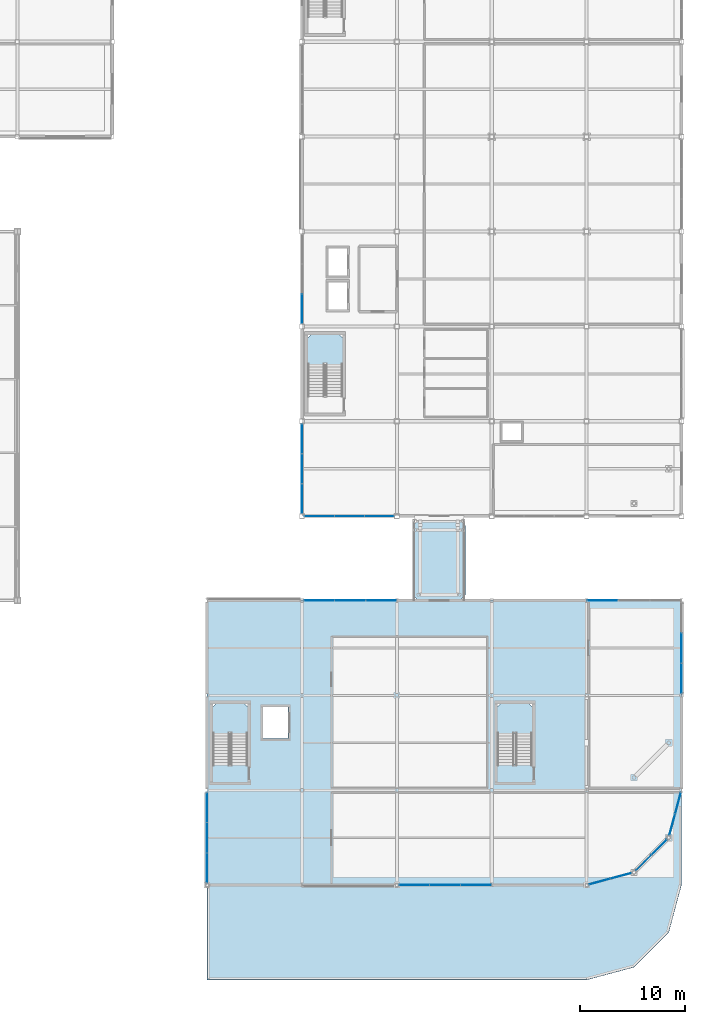
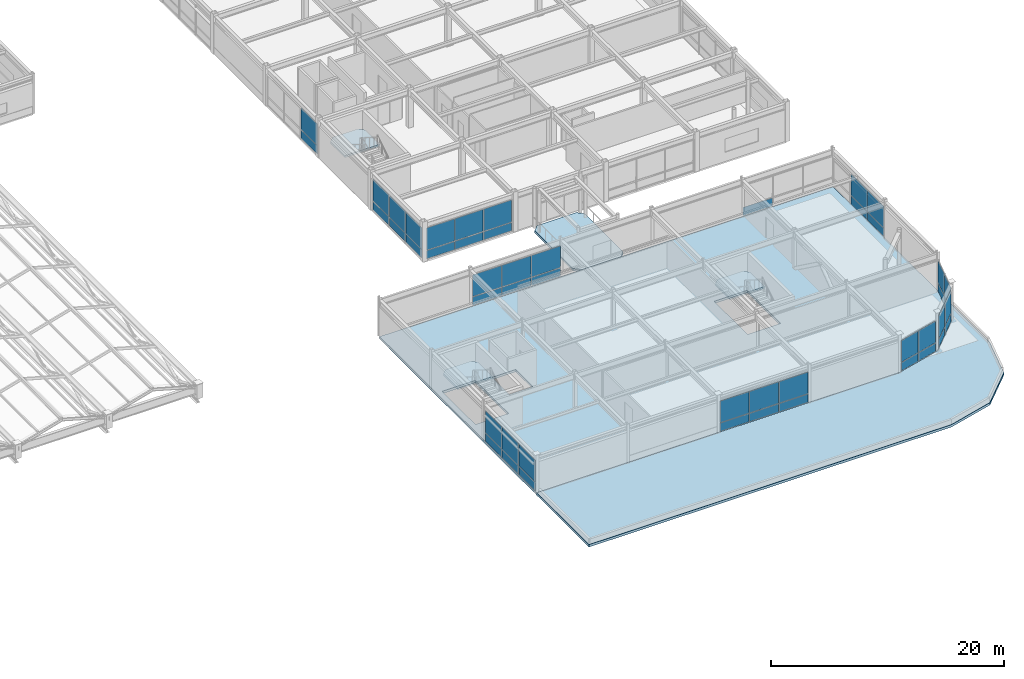
# One storey, part 67 of 108: 49 plates, 6 slabs, 14 elements without a shape of their own.
"""IFC4 building model written with IfcOpenShell, lengths in metres."""

from ifc_helpers import new_model, si_unit, direction, frame, origin, origin_2d, place, context, subcontext, project, spatial, polyline, rectangle, outline, extrude, material, layer, layer_set, type_object, element, aggregate, save


model = new_model("IFC4")

# Units and contexts
model_context = context("Model", 3, precision=1e-05, world=origin(), true_north=direction((0.0, 1.0)))
body_context = subcontext(model_context, "Body", "Model", "MODEL_VIEW")
ifc_project = project(units=[si_unit("LENGTHUNIT", "METRE"), si_unit("AREAUNIT", "SQUARE_METRE"), si_unit("VOLUMEUNIT", "CUBIC_METRE"), si_unit("PLANEANGLEUNIT", "RADIAN"), si_unit("MASSUNIT", "GRAM", prefix="KILO")], contexts=[model_context])

# Site, building, storey
site_placement = place(None, origin())
site = spatial("IfcSite", under=ifc_project, at=site_placement, CompositionType="ELEMENT")
building_placement = place(site_placement, origin())
building = spatial("IfcBuilding", under=site, at=building_placement, Name="Suzunagisa Mobility Hub", CompositionType="ELEMENT")
storey_placement = place(building_placement, frame((0.0, 0.0, 9.300048828125)))
storey = spatial("IfcBuildingStorey", under=building, at=storey_placement, Name="L02", CompositionType="ELEMENT", Elevation=9.300048828125)

# Slabs
ifc_material_1 = material(Name="Concrete C35/45", Category="concrete")
ifc_layer_1 = layer(ifc_material_1, 0.25)
ifc_layer_set_1 = layer_set([ifc_layer_1], Name="Concrete C35/45")
slab_type_1 = type_object("IfcSlabType", Name="Composite Slab SL-13 250mm", PredefinedType="FLOOR", material=ifc_layer_set_1)
slab_1_placement = place(storey_placement, frame((0.0, 0.0, -0.25)))
element("IfcSlab", 1, at=slab_1_placement, inside=storey, type_object=slab_type_1, Name="L02 V6S Floor Slab", PredefinedType="FLOOR", context=body_context, shape_type="SweptSolid", body=[
    extrude(outline(polyline([(135.0, 9.0), (171.0, 9.0), (175.5, 10.205810546875), (178.794189453125, 13.5), (180.0, 18.0), (180.0, 36.0), (135.0, 36.0), (135.0, 9.0)]), holes=[polyline([(135.56005859375, 20.47998046875), (138.840087890625, 20.47998046875), (138.840087890625, 26.199951171875), (135.56005859375, 26.199951171875), (135.56005859375, 20.47998046875)]), polyline([(140.320068359375, 22.919921875), (142.679931640625, 22.919921875), (142.679931640625, 25.8798828125), (140.320068359375, 25.8798828125), (140.320068359375, 22.919921875)]), polyline([(162.56005859375, 20.47998046875), (165.840087890625, 20.47998046875), (165.840087890625, 26.199951171875), (162.56005859375, 26.199951171875), (162.56005859375, 20.47998046875)])]), origin(), (0.0, 0.0, 1.0), 0.25),
])
ifc_material_2 = material(Name="Concrete C30/37", Category="concrete")
ifc_layer_2 = layer(ifc_material_2, 0.239990234375)
ifc_layer_set_2 = layer_set([ifc_layer_2], Name="Concrete C30/37")
slab_type_2 = type_object("IfcSlabType", Name="Composite Slab SL-14 240mm", PredefinedType="FLOOR", material=ifc_layer_set_2)
slab_2_placement = place(storey_placement, frame((0.0, 0.0, -0.239990234375)))
element("IfcSlab", 2, at=slab_2_placement, inside=storey, type_object=slab_type_2, Name="L02 Bridge Deck SB-04", PredefinedType="FLOOR", context=body_context, shape_type="SweptSolid", body=[
    extrude(outline(polyline([(155.050048828125, 36.0), (158.949951171875, 36.0), (159.5, 36.550048828125), (159.5, 43.10009765625), (158.949951171875, 43.64990234375), (155.050048828125, 43.64990234375), (154.5, 43.10009765625), (154.5, 36.550048828125), (155.050048828125, 36.0)])), origin(), (0.0, 0.0, 1.0), 0.239990234375),
])
ifc_layer_3 = layer(ifc_material_2, 0.260009765625)
ifc_layer_set_3 = layer_set([ifc_layer_3], Name="Concrete C30/37")
slab_type_3 = type_object("IfcSlabType", Name="Composite Slab SL-17 260mm", PredefinedType="ROOF", material=ifc_layer_set_3)
slab_3_placement = place(storey_placement, frame((0.0, 0.0, -0.260009765625)))
element("IfcSlab", 3, at=slab_3_placement, inside=storey, type_object=slab_type_3, Name="L02 V6S Roof Slab", PredefinedType="ROOF", context=body_context, shape_type="SweptSolid", body=[
    extrude(outline(polyline([(135.0, 0.0), (171.0, 0.0), (175.5, 1.205810546875), (178.794189453125, 4.5), (180.0, 9.0), (180.0, 17.980712890625), (178.79833984375, 13.497314453125), (175.50341796875, 10.202392578125), (171.0009765625, 8.9951171875), (135.0, 8.9951171875), (135.0, 0.0)])), origin(), (0.0, 0.0, 1.0), 0.260009765625),
])

# Stair, slab
stair_type_1 = type_object("IfcStairType", Name="Dog-Leg Core Escape Stair ST-09 W1560", PredefinedType="HALF_TURN_STAIR", material=ifc_material_1)
stair_1_placement = place(storey_placement, origin())
stair_1 = element("IfcStair", 4, at=stair_1_placement, inside=storey, type_object=stair_type_1, Name="L02 Core C7 Escape Stair ST-09", PredefinedType="HALF_TURN_STAIR")
ifc_layer_4 = layer(ifc_material_1, 0.199951171875)
ifc_layer_set_4 = layer_set([ifc_layer_4], Name="Concrete C35/45")
slab_type_4 = type_object("IfcSlabType", Name="Core Stair Half-Landing Slab SL-SLND", PredefinedType="LANDING", material=ifc_layer_set_4)
slab_4_placement = place(storey_placement, frame((0.0, 0.0, 1.89990234375)))
slab_4 = element("IfcSlab", 5, at=slab_4_placement, type_object=slab_type_4, Name="ST-09 landing 1", PredefinedType="LANDING", context=body_context, shape_type="SweptSolid", body=[
    extrude(outline(polyline([(135.4599609375, 23.360107421875), (138.93994140625, 23.360107421875), (138.93994140625, 25.820068359375), (138.4599609375, 26.300048828125), (135.93994140625, 26.300048828125), (135.4599609375, 25.820068359375), (135.4599609375, 23.360107421875)])), origin(), (0.0, 0.0, 1.0), 0.199951171875),
])
aggregate(stair_1, [slab_4])

stair_type_2 = type_object("IfcStairType", Name="Dog-Leg Core Escape Stair ST-10 W1560", PredefinedType="HALF_TURN_STAIR", material=ifc_material_1)
stair_2_placement = place(storey_placement, origin())
stair_2 = element("IfcStair", 6, at=stair_2_placement, inside=storey, type_object=stair_type_2, Name="L02 Core C7B Escape Stair ST-10", PredefinedType="HALF_TURN_STAIR")
slab_5_placement = place(storey_placement, frame((0.0, 0.0, 1.89990234375)))
slab_5 = element("IfcSlab", 7, at=slab_5_placement, type_object=slab_type_4, Name="ST-10 landing 1", PredefinedType="LANDING", context=body_context, shape_type="SweptSolid", body=[
    extrude(outline(polyline([(162.4599609375, 23.360107421875), (165.93994140625, 23.360107421875), (165.93994140625, 25.820068359375), (165.4599609375, 26.300048828125), (162.93994140625, 26.300048828125), (162.4599609375, 25.820068359375), (162.4599609375, 23.360107421875)])), origin(), (0.0, 0.0, 1.0), 0.199951171875),
])
aggregate(stair_2, [slab_5])

stair_type_3 = type_object("IfcStairType", Name="Dog-Leg Core Escape Stair ST-11 W1560", PredefinedType="HALF_TURN_STAIR", material=ifc_material_1)
stair_3_placement = place(storey_placement, origin())
stair_3 = element("IfcStair", 8, at=stair_3_placement, inside=storey, type_object=stair_type_3, Name="L02 Core C5 Escape Stair ST-11", PredefinedType="HALF_TURN_STAIR")
slab_6_placement = place(storey_placement, frame((0.0, 0.0, 1.89990234375)))
slab_6 = element("IfcSlab", 9, at=slab_6_placement, type_object=slab_type_4, Name="ST-11 landing 1", PredefinedType="LANDING", context=body_context, shape_type="SweptSolid", body=[
    extrude(outline(polyline([(144.4599609375, 58.360107421875), (147.93994140625, 58.360107421875), (147.93994140625, 60.820068359375), (147.4599609375, 61.300048828125), (144.93994140625, 61.300048828125), (144.4599609375, 60.820068359375), (144.4599609375, 58.360107421875)])), origin(), (0.0, 0.0, 1.0), 0.199951171875),
])
aggregate(stair_3, [slab_6])

# Curtain wall, plates
ifc_material_3 = material(Name="Thermally Broken Anodized Aluminum and Low-E Glazing", Category="aluminium")
curtain_wall_type_1 = type_object("IfcCurtainWallType", Name="Unitised Curtain Wall CW-12 8750x3300", PredefinedType="USERDEFINED", material=ifc_material_3)
curtain_wall_1_placement = place(storey_placement, origin())
curtain_wall_1 = element("IfcCurtainWall", 10, at=curtain_wall_1_placement, inside=storey, type_object=curtain_wall_type_1, Name="L02 Unitised Curtain Wall CW-155", ObjectType="UNITISED CURTAIN WALL", PredefinedType="USERDEFINED")
ifc_material_4 = material(Name="Low-E Solar-Control Double Glazing", Category="glass")
ifc_layer_5 = layer(ifc_material_4, 0.028076171875)
ifc_layer_set_5 = layer_set([ifc_layer_5], Name="Low-E Solar-Control Double Glazing")
plate_type = type_object("IfcPlateType", Name="Low-E Double Glazed Curtain Panel GP-01 28mm", PredefinedType="CURTAIN_PANEL", material=ifc_layer_set_5)
plate_1_placement = place(storey_placement, frame((154.639404296875, 9.0, 0.06298828125), z_axis=(0.0, 0.0, 1.0), x_axis=(1.0, 0.0, 0.0)))
plate_1 = element("IfcPlate", 11, at=plate_1_placement, type_object=plate_type, Name="Curtain Wall Glazing Panel 155-P1.1", PredefinedType="CURTAIN_PANEL", context=body_context, shape_type="SweptSolid", body=[
    extrude(rectangle(XDim=2.862548828125, YDim=0.028076171875, at=origin_2d()), origin(), (0.0, 0.0, 1.0), 0.8564453125),
])
plate_2_placement = place(storey_placement, frame((154.639404296875, 9.0, 0.98046875), z_axis=(0.0, 0.0, 1.0), x_axis=(1.0, 0.0, 0.0)))
plate_2 = element("IfcPlate", 12, at=plate_2_placement, type_object=plate_type, Name="Curtain Wall Glazing Panel 155-P1.2", PredefinedType="CURTAIN_PANEL", context=body_context, shape_type="SweptSolid", body=[
    extrude(rectangle(XDim=2.862548828125, YDim=0.028076171875, at=origin_2d()), origin(), (0.0, 0.0, 1.0), 2.24658203125),
])
plate_3_placement = place(storey_placement, frame((157.57275390625, 9.0, 0.06298828125), z_axis=(0.0, 0.0, 1.0), x_axis=(1.0, 0.0, 0.0)))
plate_3 = element("IfcPlate", 13, at=plate_3_placement, type_object=plate_type, Name="Curtain Wall Glazing Panel 155-P2.1", PredefinedType="CURTAIN_PANEL", context=body_context, shape_type="SweptSolid", body=[
    extrude(rectangle(XDim=2.892578125, YDim=0.028076171875, at=origin_2d()), origin(), (0.0, 0.0, 1.0), 0.8564453125),
])
plate_4_placement = place(storey_placement, frame((157.57275390625, 9.0, 0.98046875), z_axis=(0.0, 0.0, 1.0), x_axis=(1.0, 0.0, 0.0)))
plate_4 = element("IfcPlate", 14, at=plate_4_placement, type_object=plate_type, Name="Curtain Wall Glazing Panel 155-P2.2", PredefinedType="CURTAIN_PANEL", context=body_context, shape_type="SweptSolid", body=[
    extrude(rectangle(XDim=2.892578125, YDim=0.028076171875, at=origin_2d()), origin(), (0.0, 0.0, 1.0), 2.24658203125),
])
plate_5_placement = place(storey_placement, frame((160.506103515625, 9.0, 0.06298828125), z_axis=(0.0, 0.0, 1.0), x_axis=(1.0, 0.0, 0.0)))
plate_5 = element("IfcPlate", 15, at=plate_5_placement, type_object=plate_type, Name="Curtain Wall Glazing Panel 155-P3.1", PredefinedType="CURTAIN_PANEL", context=body_context, shape_type="SweptSolid", body=[
    extrude(rectangle(XDim=2.862548828125, YDim=0.028076171875, at=origin_2d()), origin(), (0.0, 0.0, 1.0), 0.8564453125),
])
plate_6_placement = place(storey_placement, frame((160.506103515625, 9.0, 0.98046875), z_axis=(0.0, 0.0, 1.0), x_axis=(1.0, 0.0, 0.0)))
plate_6 = element("IfcPlate", 16, at=plate_6_placement, type_object=plate_type, Name="Curtain Wall Glazing Panel 155-P3.2", PredefinedType="CURTAIN_PANEL", context=body_context, shape_type="SweptSolid", body=[
    extrude(rectangle(XDim=2.862548828125, YDim=0.028076171875, at=origin_2d()), origin(), (0.0, 0.0, 1.0), 2.24658203125),
])
aggregate(curtain_wall_1, [plate_1, plate_2, plate_3, plate_4, plate_5, plate_6])

curtain_wall_type_2 = type_object("IfcCurtainWallType", Name="Unitised Curtain Wall CW-06 4250x3300", PredefinedType="USERDEFINED", material=ifc_material_3)
curtain_wall_2_placement = place(storey_placement, origin())
curtain_wall_2 = element("IfcCurtainWall", 17, at=curtain_wall_2_placement, inside=storey, type_object=curtain_wall_type_2, Name="L02 Unitised Curtain Wall CW-156", ObjectType="UNITISED CURTAIN WALL", PredefinedType="USERDEFINED")
plate_7_placement = place(storey_placement, frame((172.219970703125, 9.326904296875, 0.05810546875), z_axis=(0.0, 0.0, 1.0), x_axis=(0.96592351662, 0.258827664752, 0.0)))
plate_7 = element("IfcPlate", 18, at=plate_7_placement, type_object=plate_type, Name="Curtain Wall Glazing Panel 156-P1.1", PredefinedType="CURTAIN_PANEL", context=body_context, shape_type="SweptSolid", body=[
    extrude(rectangle(XDim=2.04248046875, YDim=0.028076171875, at=origin_2d()), origin(), (0.0, 0.0, 1.0), 0.864013671875),
])
plate_8_placement = place(storey_placement, frame((172.219970703125, 9.326904296875, 0.97802734375), z_axis=(0.0, 0.0, 1.0), x_axis=(0.96592351662, 0.258827664752, 0.0)))
plate_8 = element("IfcPlate", 19, at=plate_8_placement, type_object=plate_type, Name="Curtain Wall Glazing Panel 156-P1.2", PredefinedType="CURTAIN_PANEL", context=body_context, shape_type="SweptSolid", body=[
    extrude(rectangle(XDim=2.04248046875, YDim=0.028076171875, at=origin_2d()), origin(), (0.0, 0.0, 1.0), 2.25390625),
])
plate_9_placement = place(storey_placement, frame((174.247314453125, 9.8701171875, 0.05810546875), z_axis=(0.0, 0.0, 1.0), x_axis=(0.96592351662, 0.258827664752, 0.0)))
plate_9 = element("IfcPlate", 20, at=plate_9_placement, type_object=plate_type, Name="Curtain Wall Glazing Panel 156-P2.1", PredefinedType="CURTAIN_PANEL", context=body_context, shape_type="SweptSolid", body=[
    extrude(rectangle(XDim=2.042724609375, YDim=0.028076171875, at=origin_2d()), origin(), (0.0, 0.0, 1.0), 0.864013671875),
])
plate_10_placement = place(storey_placement, frame((174.247314453125, 9.8701171875, 0.97802734375), z_axis=(0.0, 0.0, 1.0), x_axis=(0.96592351662, 0.258827664752, 0.0)))
plate_10 = element("IfcPlate", 21, at=plate_10_placement, type_object=plate_type, Name="Curtain Wall Glazing Panel 156-P2.2", PredefinedType="CURTAIN_PANEL", context=body_context, shape_type="SweptSolid", body=[
    extrude(rectangle(XDim=2.042724609375, YDim=0.028076171875, at=origin_2d()), origin(), (0.0, 0.0, 1.0), 2.25390625),
])
aggregate(curtain_wall_2, [plate_7, plate_8, plate_9, plate_10])

curtain_wall_type_3 = type_object("IfcCurtainWallType", Name="Unitised Curtain Wall CW-24 4250x3500", PredefinedType="USERDEFINED", material=ifc_material_3)
curtain_wall_3_placement = place(storey_placement, origin())
curtain_wall_3 = element("IfcCurtainWall", 22, at=curtain_wall_3_placement, inside=storey, type_object=curtain_wall_type_3, Name="L02 Unitised Curtain Wall CW-157", ObjectType="UNITISED CURTAIN WALL", PredefinedType="USERDEFINED")
plate_11_placement = place(storey_placement, frame((176.423095703125, 11.12890625, 0.05810546875), z_axis=(0.0, 0.0, 1.0), x_axis=(0.707106781187, 0.707106781187, 0.0)))
plate_11 = element("IfcPlate", 23, at=plate_11_placement, type_object=plate_type, Name="Curtain Wall Glazing Panel 157-P1.1", PredefinedType="CURTAIN_PANEL", context=body_context, shape_type="SweptSolid", body=[
    extrude(rectangle(XDim=1.991943359375, YDim=0.028076171875, at=origin_2d()), origin(), (0.0, 0.0, 1.0), 0.864013671875),
])
plate_12_placement = place(storey_placement, frame((176.423095703125, 11.12890625, 0.97802734375), z_axis=(0.0, 0.0, 1.0), x_axis=(0.707106781187, 0.707106781187, 0.0)))
plate_12 = element("IfcPlate", 24, at=plate_12_placement, type_object=plate_type, Name="Curtain Wall Glazing Panel 157-P1.2", PredefinedType="CURTAIN_PANEL", context=body_context, shape_type="SweptSolid", body=[
    extrude(rectangle(XDim=1.991943359375, YDim=0.028076171875, at=origin_2d()), origin(), (0.0, 0.0, 1.0), 2.50390625),
])
plate_13_placement = place(storey_placement, frame((177.87109375, 12.576904296875, 0.05810546875), z_axis=(0.0, 0.0, 1.0), x_axis=(0.707106781187, 0.707106781187, 0.0)))
plate_13 = element("IfcPlate", 25, at=plate_13_placement, type_object=plate_type, Name="Curtain Wall Glazing Panel 157-P2.1", PredefinedType="CURTAIN_PANEL", context=body_context, shape_type="SweptSolid", body=[
    extrude(rectangle(XDim=1.991943359375, YDim=0.028076171875, at=origin_2d()), origin(), (0.0, 0.0, 1.0), 0.864013671875),
])
plate_14_placement = place(storey_placement, frame((177.87109375, 12.576904296875, 0.97802734375), z_axis=(0.0, 0.0, 1.0), x_axis=(0.707106781187, 0.707106781187, 0.0)))
plate_14 = element("IfcPlate", 26, at=plate_14_placement, type_object=plate_type, Name="Curtain Wall Glazing Panel 157-P2.2", PredefinedType="CURTAIN_PANEL", context=body_context, shape_type="SweptSolid", body=[
    extrude(rectangle(XDim=1.991943359375, YDim=0.028076171875, at=origin_2d()), origin(), (0.0, 0.0, 1.0), 2.50390625),
])
aggregate(curtain_wall_3, [plate_11, plate_12, plate_13, plate_14])

curtain_wall_4_placement = place(storey_placement, origin())
curtain_wall_4 = element("IfcCurtainWall", 27, at=curtain_wall_4_placement, inside=storey, type_object=curtain_wall_type_2, Name="L02 Unitised Curtain Wall CW-158", ObjectType="UNITISED CURTAIN WALL", PredefinedType="USERDEFINED")
plate_15_placement = place(storey_placement, frame((179.129150390625, 14.749755859375, 0.05810546875), z_axis=(0.0, 0.0, 1.0), x_axis=(0.258810670101, 0.965928070325, 0.0)))
plate_15 = element("IfcPlate", 28, at=plate_15_placement, type_object=plate_type, Name="Curtain Wall Glazing Panel 158-P1.1", PredefinedType="CURTAIN_PANEL", context=body_context, shape_type="SweptSolid", body=[
    extrude(rectangle(XDim=2.0361328125, YDim=0.028076171875, at=origin_2d()), origin(), (0.0, 0.0, 1.0), 0.864013671875),
])
plate_16_placement = place(storey_placement, frame((179.129150390625, 14.749755859375, 0.97802734375), z_axis=(0.0, 0.0, 1.0), x_axis=(0.258810670101, 0.965928070325, 0.0)))
plate_16 = element("IfcPlate", 29, at=plate_16_placement, type_object=plate_type, Name="Curtain Wall Glazing Panel 158-P1.2", PredefinedType="CURTAIN_PANEL", context=body_context, shape_type="SweptSolid", body=[
    extrude(rectangle(XDim=2.0361328125, YDim=0.028076171875, at=origin_2d()), origin(), (0.0, 0.0, 1.0), 2.303955078125),
])
plate_17_placement = place(storey_placement, frame((179.670654296875, 16.7705078125, 0.05810546875), z_axis=(0.0, 0.0, 1.0), x_axis=(0.258810670101, 0.965928070325, 0.0)))
plate_17 = element("IfcPlate", 30, at=plate_17_placement, type_object=plate_type, Name="Curtain Wall Glazing Panel 158-P2.1", PredefinedType="CURTAIN_PANEL", context=body_context, shape_type="SweptSolid", body=[
    extrude(rectangle(XDim=2.0361328125, YDim=0.028076171875, at=origin_2d()), origin(), (0.0, 0.0, 1.0), 0.864013671875),
])
plate_18_placement = place(storey_placement, frame((179.670654296875, 16.7705078125, 0.97802734375), z_axis=(0.0, 0.0, 1.0), x_axis=(0.258810670101, 0.965928070325, 0.0)))
plate_18 = element("IfcPlate", 31, at=plate_18_placement, type_object=plate_type, Name="Curtain Wall Glazing Panel 158-P2.2", PredefinedType="CURTAIN_PANEL", context=body_context, shape_type="SweptSolid", body=[
    extrude(rectangle(XDim=2.0361328125, YDim=0.028076171875, at=origin_2d()), origin(), (0.0, 0.0, 1.0), 2.303955078125),
])
aggregate(curtain_wall_4, [plate_15, plate_16, plate_17, plate_18])

curtain_wall_5_placement = place(storey_placement, origin())
curtain_wall_5 = element("IfcCurtainWall", 32, at=curtain_wall_5_placement, inside=storey, type_object=curtain_wall_type_1, Name="L02 Unitised Curtain Wall CW-159", ObjectType="UNITISED CURTAIN WALL", PredefinedType="USERDEFINED")
plate_19_placement = place(storey_placement, frame((180.0, 28.611572265625, 0.06298828125), z_axis=(0.0, 0.0, 1.0), x_axis=(0.0, 1.0, 0.0)))
plate_19 = element("IfcPlate", 33, at=plate_19_placement, type_object=plate_type, Name="Curtain Wall Glazing Panel 159-P1.1", PredefinedType="CURTAIN_PANEL", context=body_context, shape_type="SweptSolid", body=[
    extrude(rectangle(XDim=2.807373046875, YDim=0.028076171875, at=origin_2d()), origin(), (0.0, 0.0, 1.0), 0.8564453125),
])
plate_20_placement = place(storey_placement, frame((180.0, 28.611572265625, 0.98046875), z_axis=(0.0, 0.0, 1.0), x_axis=(0.0, 1.0, 0.0)))
plate_20 = element("IfcPlate", 34, at=plate_20_placement, type_object=plate_type, Name="Curtain Wall Glazing Panel 159-P1.2", PredefinedType="CURTAIN_PANEL", context=body_context, shape_type="SweptSolid", body=[
    extrude(rectangle(XDim=2.807373046875, YDim=0.028076171875, at=origin_2d()), origin(), (0.0, 0.0, 1.0), 2.24658203125),
])
plate_21_placement = place(storey_placement, frame((180.0, 31.489990234375, 0.06298828125), z_axis=(0.0, 0.0, 1.0), x_axis=(0.0, 1.0, 0.0)))
plate_21 = element("IfcPlate", 35, at=plate_21_placement, type_object=plate_type, Name="Curtain Wall Glazing Panel 159-P2.1", PredefinedType="CURTAIN_PANEL", context=body_context, shape_type="SweptSolid", body=[
    extrude(rectangle(XDim=2.83740234375, YDim=0.028076171875, at=origin_2d()), origin(), (0.0, 0.0, 1.0), 0.8564453125),
])
plate_22_placement = place(storey_placement, frame((180.0, 31.489990234375, 0.98046875), z_axis=(0.0, 0.0, 1.0), x_axis=(0.0, 1.0, 0.0)))
plate_22 = element("IfcPlate", 36, at=plate_22_placement, type_object=plate_type, Name="Curtain Wall Glazing Panel 159-P2.2", PredefinedType="CURTAIN_PANEL", context=body_context, shape_type="SweptSolid", body=[
    extrude(rectangle(XDim=2.83740234375, YDim=0.028076171875, at=origin_2d()), origin(), (0.0, 0.0, 1.0), 2.24658203125),
])
aggregate(curtain_wall_5, [plate_19, plate_20, plate_21, plate_22])

# Curtain wall, plate
curtain_wall_type_4 = type_object("IfcCurtainWallType", Name="Unitised Curtain Wall CW-11 9000x3300", PredefinedType="USERDEFINED", material=ifc_material_3)
curtain_wall_6_placement = place(storey_placement, origin())
curtain_wall_6 = element("IfcCurtainWall", 37, at=curtain_wall_6_placement, inside=storey, type_object=curtain_wall_type_4, Name="L02 Unitised Curtain Wall CW-160", ObjectType="UNITISED CURTAIN WALL", PredefinedType="USERDEFINED")
plate_23_placement = place(storey_placement, frame((172.51806640625, 36.0, 0.06298828125), z_axis=(0.0, 0.0, 1.0), x_axis=(-1.0, 0.0, 0.0)))
plate_23 = element("IfcPlate", 38, at=plate_23_placement, type_object=plate_type, Name="Curtain Wall Glazing Panel 160-P3.1", PredefinedType="CURTAIN_PANEL", context=body_context, shape_type="SweptSolid", body=[
    extrude(rectangle(XDim=2.910888671875, YDim=0.028076171875, at=origin_2d()), origin(), (0.0, 0.0, 1.0), 0.8564453125),
])
aggregate(curtain_wall_6, [plate_23])

# Curtain wall, plates
curtain_wall_7_placement = place(storey_placement, origin())
curtain_wall_7 = element("IfcCurtainWall", 39, at=curtain_wall_7_placement, inside=storey, type_object=curtain_wall_type_1, Name="L02 Unitised Curtain Wall CW-161", ObjectType="UNITISED CURTAIN WALL", PredefinedType="USERDEFINED")
plate_24_placement = place(storey_placement, frame((151.506103515625, 36.0, 0.06298828125), z_axis=(0.0, 0.0, 1.0), x_axis=(-1.0, 0.0, 0.0)))
plate_24 = element("IfcPlate", 40, at=plate_24_placement, type_object=plate_type, Name="Curtain Wall Glazing Panel 161-P1.1", PredefinedType="CURTAIN_PANEL", context=body_context, shape_type="SweptSolid", body=[
    extrude(rectangle(XDim=2.862548828125, YDim=0.028076171875, at=origin_2d()), origin(), (0.0, 0.0, 1.0), 0.8564453125),
])
plate_25_placement = place(storey_placement, frame((151.506103515625, 36.0, 0.98046875), z_axis=(0.0, 0.0, 1.0), x_axis=(-1.0, 0.0, 0.0)))
plate_25 = element("IfcPlate", 41, at=plate_25_placement, type_object=plate_type, Name="Curtain Wall Glazing Panel 161-P1.2", PredefinedType="CURTAIN_PANEL", context=body_context, shape_type="SweptSolid", body=[
    extrude(rectangle(XDim=2.862548828125, YDim=0.028076171875, at=origin_2d()), origin(), (0.0, 0.0, 1.0), 2.256591796875),
])
plate_26_placement = place(storey_placement, frame((148.57275390625, 36.0, 0.06298828125), z_axis=(0.0, 0.0, 1.0), x_axis=(-1.0, 0.0, 0.0)))
plate_26 = element("IfcPlate", 42, at=plate_26_placement, type_object=plate_type, Name="Curtain Wall Glazing Panel 161-P2.1", PredefinedType="CURTAIN_PANEL", context=body_context, shape_type="SweptSolid", body=[
    extrude(rectangle(XDim=2.892578125, YDim=0.028076171875, at=origin_2d()), origin(), (0.0, 0.0, 1.0), 0.8564453125),
])
plate_27_placement = place(storey_placement, frame((148.57275390625, 36.0, 0.98046875), z_axis=(0.0, 0.0, 1.0), x_axis=(-1.0, 0.0, 0.0)))
plate_27 = element("IfcPlate", 43, at=plate_27_placement, type_object=plate_type, Name="Curtain Wall Glazing Panel 161-P2.2", PredefinedType="CURTAIN_PANEL", context=body_context, shape_type="SweptSolid", body=[
    extrude(rectangle(XDim=2.892578125, YDim=0.028076171875, at=origin_2d()), origin(), (0.0, 0.0, 1.0), 2.256591796875),
])
plate_28_placement = place(storey_placement, frame((145.639404296875, 36.0, 0.06298828125), z_axis=(0.0, 0.0, 1.0), x_axis=(-1.0, 0.0, 0.0)))
plate_28 = element("IfcPlate", 44, at=plate_28_placement, type_object=plate_type, Name="Curtain Wall Glazing Panel 161-P3.1", PredefinedType="CURTAIN_PANEL", context=body_context, shape_type="SweptSolid", body=[
    extrude(rectangle(XDim=2.862548828125, YDim=0.028076171875, at=origin_2d()), origin(), (0.0, 0.0, 1.0), 0.8564453125),
])
plate_29_placement = place(storey_placement, frame((145.639404296875, 36.0, 0.98046875), z_axis=(0.0, 0.0, 1.0), x_axis=(-1.0, 0.0, 0.0)))
plate_29 = element("IfcPlate", 45, at=plate_29_placement, type_object=plate_type, Name="Curtain Wall Glazing Panel 161-P3.2", PredefinedType="CURTAIN_PANEL", context=body_context, shape_type="SweptSolid", body=[
    extrude(rectangle(XDim=2.862548828125, YDim=0.028076171875, at=origin_2d()), origin(), (0.0, 0.0, 1.0), 2.256591796875),
])
aggregate(curtain_wall_7, [plate_24, plate_25, plate_26, plate_27, plate_28, plate_29])

curtain_wall_8_placement = place(storey_placement, origin())
curtain_wall_8 = element("IfcCurtainWall", 46, at=curtain_wall_8_placement, inside=storey, type_object=curtain_wall_type_1, Name="L02 Unitised Curtain Wall CW-162", ObjectType="UNITISED CURTAIN WALL", PredefinedType="USERDEFINED")
plate_30_placement = place(storey_placement, frame((135.0, 16.368408203125, 0.06298828125), z_axis=(0.0, 0.0, 1.0), x_axis=(0.0, -1.0, 0.0)))
plate_30 = element("IfcPlate", 47, at=plate_30_placement, type_object=plate_type, Name="Curtain Wall Glazing Panel 162-P1.1", PredefinedType="CURTAIN_PANEL", context=body_context, shape_type="SweptSolid", body=[
    extrude(rectangle(XDim=2.807373046875, YDim=0.028076171875, at=origin_2d()), origin(), (0.0, 0.0, 1.0), 0.8564453125),
])
plate_31_placement = place(storey_placement, frame((135.0, 16.368408203125, 0.98046875), z_axis=(0.0, 0.0, 1.0), x_axis=(0.0, -1.0, 0.0)))
plate_31 = element("IfcPlate", 48, at=plate_31_placement, type_object=plate_type, Name="Curtain Wall Glazing Panel 162-P1.2", PredefinedType="CURTAIN_PANEL", context=body_context, shape_type="SweptSolid", body=[
    extrude(rectangle(XDim=2.807373046875, YDim=0.028076171875, at=origin_2d()), origin(), (0.0, 0.0, 1.0), 2.29638671875),
])
plate_32_placement = place(storey_placement, frame((135.0, 13.489990234375, 0.06298828125), z_axis=(0.0, 0.0, 1.0), x_axis=(0.0, -1.0, 0.0)))
plate_32 = element("IfcPlate", 49, at=plate_32_placement, type_object=plate_type, Name="Curtain Wall Glazing Panel 162-P2.1", PredefinedType="CURTAIN_PANEL", context=body_context, shape_type="SweptSolid", body=[
    extrude(rectangle(XDim=2.83740234375, YDim=0.028076171875, at=origin_2d()), origin(), (0.0, 0.0, 1.0), 0.8564453125),
])
plate_33_placement = place(storey_placement, frame((135.0, 13.489990234375, 0.98046875), z_axis=(0.0, 0.0, 1.0), x_axis=(0.0, -1.0, 0.0)))
plate_33 = element("IfcPlate", 50, at=plate_33_placement, type_object=plate_type, Name="Curtain Wall Glazing Panel 162-P2.2", PredefinedType="CURTAIN_PANEL", context=body_context, shape_type="SweptSolid", body=[
    extrude(rectangle(XDim=2.83740234375, YDim=0.028076171875, at=origin_2d()), origin(), (0.0, 0.0, 1.0), 2.29638671875),
])
plate_34_placement = place(storey_placement, frame((135.0, 10.611572265625, 0.06298828125), z_axis=(0.0, 0.0, 1.0), x_axis=(0.0, -1.0, 0.0)))
plate_34 = element("IfcPlate", 51, at=plate_34_placement, type_object=plate_type, Name="Curtain Wall Glazing Panel 162-P3.1", PredefinedType="CURTAIN_PANEL", context=body_context, shape_type="SweptSolid", body=[
    extrude(rectangle(XDim=2.807373046875, YDim=0.028076171875, at=origin_2d()), origin(), (0.0, 0.0, 1.0), 0.8564453125),
])
plate_35_placement = place(storey_placement, frame((135.0, 10.611572265625, 0.98046875), z_axis=(0.0, 0.0, 1.0), x_axis=(0.0, -1.0, 0.0)))
plate_35 = element("IfcPlate", 52, at=plate_35_placement, type_object=plate_type, Name="Curtain Wall Glazing Panel 162-P3.2", PredefinedType="CURTAIN_PANEL", context=body_context, shape_type="SweptSolid", body=[
    extrude(rectangle(XDim=2.807373046875, YDim=0.028076171875, at=origin_2d()), origin(), (0.0, 0.0, 1.0), 2.29638671875),
])
aggregate(curtain_wall_8, [plate_30, plate_31, plate_32, plate_33, plate_34, plate_35])

curtain_wall_type_5 = type_object("IfcCurtainWallType", Name="Unitised Curtain Wall CW-29 8500x3400", PredefinedType="USERDEFINED", material=ifc_material_3)
curtain_wall_9_placement = place(storey_placement, origin())
curtain_wall_9 = element("IfcCurtainWall", 53, at=curtain_wall_9_placement, inside=storey, type_object=curtain_wall_type_5, Name="L02 Unitised Curtain Wall CW-196", ObjectType="UNITISED CURTAIN WALL", PredefinedType="USERDEFINED")
plate_36_placement = place(storey_placement, frame((145.6650390625, 44.0, 0.06298828125), z_axis=(0.0, 0.0, 1.0), x_axis=(1.0, 0.0, 0.0)))
plate_36 = element("IfcPlate", 54, at=plate_36_placement, type_object=plate_type, Name="Curtain Wall Glazing Panel 196-P1.1", PredefinedType="CURTAIN_PANEL", context=body_context, shape_type="SweptSolid", body=[
    extrude(rectangle(XDim=2.763916015625, YDim=0.028076171875, at=origin_2d()), origin(), (0.0, 0.0, 1.0), 0.8564453125),
])
plate_37_placement = place(storey_placement, frame((145.6650390625, 44.0, 0.98046875), z_axis=(0.0, 0.0, 1.0), x_axis=(1.0, 0.0, 0.0)))
plate_37 = element("IfcPlate", 55, at=plate_37_placement, type_object=plate_type, Name="Curtain Wall Glazing Panel 196-P1.2", PredefinedType="CURTAIN_PANEL", context=body_context, shape_type="SweptSolid", body=[
    extrude(rectangle(XDim=2.763916015625, YDim=0.028076171875, at=origin_2d()), origin(), (0.0, 0.0, 1.0), 2.318603515625),
])
plate_38_placement = place(storey_placement, frame((148.5, 44.0, 0.06298828125), z_axis=(0.0, 0.0, 1.0), x_axis=(1.0, 0.0, 0.0)))
plate_38 = element("IfcPlate", 56, at=plate_38_placement, type_object=plate_type, Name="Curtain Wall Glazing Panel 196-P2.1", PredefinedType="CURTAIN_PANEL", context=body_context, shape_type="SweptSolid", body=[
    extrude(rectangle(XDim=2.7939453125, YDim=0.028076171875, at=origin_2d()), origin(), (0.0, 0.0, 1.0), 0.8564453125),
])
plate_39_placement = place(storey_placement, frame((148.5, 44.0, 0.98046875), z_axis=(0.0, 0.0, 1.0), x_axis=(1.0, 0.0, 0.0)))
plate_39 = element("IfcPlate", 57, at=plate_39_placement, type_object=plate_type, Name="Curtain Wall Glazing Panel 196-P2.2", PredefinedType="CURTAIN_PANEL", context=body_context, shape_type="SweptSolid", body=[
    extrude(rectangle(XDim=2.7939453125, YDim=0.028076171875, at=origin_2d()), origin(), (0.0, 0.0, 1.0), 2.318603515625),
])
plate_40_placement = place(storey_placement, frame((151.3349609375, 44.0, 0.06298828125), z_axis=(0.0, 0.0, 1.0), x_axis=(1.0, 0.0, 0.0)))
plate_40 = element("IfcPlate", 58, at=plate_40_placement, type_object=plate_type, Name="Curtain Wall Glazing Panel 196-P3.1", PredefinedType="CURTAIN_PANEL", context=body_context, shape_type="SweptSolid", body=[
    extrude(rectangle(XDim=2.763916015625, YDim=0.028076171875, at=origin_2d()), origin(), (0.0, 0.0, 1.0), 0.8564453125),
])
plate_41_placement = place(storey_placement, frame((151.3349609375, 44.0, 0.98046875), z_axis=(0.0, 0.0, 1.0), x_axis=(1.0, 0.0, 0.0)))
plate_41 = element("IfcPlate", 59, at=plate_41_placement, type_object=plate_type, Name="Curtain Wall Glazing Panel 196-P3.2", PredefinedType="CURTAIN_PANEL", context=body_context, shape_type="SweptSolid", body=[
    extrude(rectangle(XDim=2.763916015625, YDim=0.028076171875, at=origin_2d()), origin(), (0.0, 0.0, 1.0), 2.318603515625),
])
aggregate(curtain_wall_9, [plate_36, plate_37, plate_38, plate_39, plate_40, plate_41])

curtain_wall_type_6 = type_object("IfcCurtainWallType", Name="Unitised Curtain Wall CW-43 8500x3300", PredefinedType="USERDEFINED", material=ifc_material_3)
curtain_wall_10_placement = place(storey_placement, origin())
curtain_wall_10 = element("IfcCurtainWall", 60, at=curtain_wall_10_placement, inside=storey, type_object=curtain_wall_type_6, Name="L02 Unitised Curtain Wall CW-202", ObjectType="UNITISED CURTAIN WALL", PredefinedType="USERDEFINED")
plate_42_placement = place(storey_placement, frame((144.0, 63.6650390625, 0.06298828125), z_axis=(0.0, 0.0, 1.0), x_axis=(0.0, -1.0, 0.0)))
plate_42 = element("IfcPlate", 61, at=plate_42_placement, type_object=plate_type, Name="Curtain Wall Glazing Panel 202-P3.1", PredefinedType="CURTAIN_PANEL", context=body_context, shape_type="SweptSolid", body=[
    extrude(rectangle(XDim=2.763916015625, YDim=0.028076171875, at=origin_2d()), origin(), (0.0, 0.0, 1.0), 0.8564453125),
])
plate_43_placement = place(storey_placement, frame((144.0, 63.6650390625, 0.98046875), z_axis=(0.0, 0.0, 1.0), x_axis=(0.0, -1.0, 0.0)))
plate_43 = element("IfcPlate", 62, at=plate_43_placement, type_object=plate_type, Name="Curtain Wall Glazing Panel 202-P3.2", PredefinedType="CURTAIN_PANEL", context=body_context, shape_type="SweptSolid", body=[
    extrude(rectangle(XDim=2.763916015625, YDim=0.028076171875, at=origin_2d()), origin(), (0.0, 0.0, 1.0), 2.256591796875),
])
aggregate(curtain_wall_10, [plate_42, plate_43])

curtain_wall_11_placement = place(storey_placement, origin())
curtain_wall_11 = element("IfcCurtainWall", 63, at=curtain_wall_11_placement, inside=storey, type_object=curtain_wall_type_6, Name="L02 Unitised Curtain Wall CW-203", ObjectType="UNITISED CURTAIN WALL", PredefinedType="USERDEFINED")
plate_44_placement = place(storey_placement, frame((144.0, 51.3349609375, 0.06298828125), z_axis=(0.0, 0.0, 1.0), x_axis=(0.0, -1.0, 0.0)))
plate_44 = element("IfcPlate", 64, at=plate_44_placement, type_object=plate_type, Name="Curtain Wall Glazing Panel 203-P1.1", PredefinedType="CURTAIN_PANEL", context=body_context, shape_type="SweptSolid", body=[
    extrude(rectangle(XDim=2.763916015625, YDim=0.028076171875, at=origin_2d()), origin(), (0.0, 0.0, 1.0), 0.8564453125),
])
plate_45_placement = place(storey_placement, frame((144.0, 51.3349609375, 0.98046875), z_axis=(0.0, 0.0, 1.0), x_axis=(0.0, -1.0, 0.0)))
plate_45 = element("IfcPlate", 65, at=plate_45_placement, type_object=plate_type, Name="Curtain Wall Glazing Panel 203-P1.2", PredefinedType="CURTAIN_PANEL", context=body_context, shape_type="SweptSolid", body=[
    extrude(rectangle(XDim=2.763916015625, YDim=0.028076171875, at=origin_2d()), origin(), (0.0, 0.0, 1.0), 2.256591796875),
])
plate_46_placement = place(storey_placement, frame((144.0, 48.5, 0.06298828125), z_axis=(0.0, 0.0, 1.0), x_axis=(0.0, -1.0, 0.0)))
plate_46 = element("IfcPlate", 66, at=plate_46_placement, type_object=plate_type, Name="Curtain Wall Glazing Panel 203-P2.1", PredefinedType="CURTAIN_PANEL", context=body_context, shape_type="SweptSolid", body=[
    extrude(rectangle(XDim=2.7939453125, YDim=0.028076171875, at=origin_2d()), origin(), (0.0, 0.0, 1.0), 0.8564453125),
])
plate_47_placement = place(storey_placement, frame((144.0, 48.5, 0.98046875), z_axis=(0.0, 0.0, 1.0), x_axis=(0.0, -1.0, 0.0)))
plate_47 = element("IfcPlate", 67, at=plate_47_placement, type_object=plate_type, Name="Curtain Wall Glazing Panel 203-P2.2", PredefinedType="CURTAIN_PANEL", context=body_context, shape_type="SweptSolid", body=[
    extrude(rectangle(XDim=2.7939453125, YDim=0.028076171875, at=origin_2d()), origin(), (0.0, 0.0, 1.0), 2.256591796875),
])
plate_48_placement = place(storey_placement, frame((144.0, 45.6650390625, 0.06298828125), z_axis=(0.0, 0.0, 1.0), x_axis=(0.0, -1.0, 0.0)))
plate_48 = element("IfcPlate", 68, at=plate_48_placement, type_object=plate_type, Name="Curtain Wall Glazing Panel 203-P3.1", PredefinedType="CURTAIN_PANEL", context=body_context, shape_type="SweptSolid", body=[
    extrude(rectangle(XDim=2.763916015625, YDim=0.028076171875, at=origin_2d()), origin(), (0.0, 0.0, 1.0), 0.8564453125),
])
plate_49_placement = place(storey_placement, frame((144.0, 45.6650390625, 0.98046875), z_axis=(0.0, 0.0, 1.0), x_axis=(0.0, -1.0, 0.0)))
plate_49 = element("IfcPlate", 69, at=plate_49_placement, type_object=plate_type, Name="Curtain Wall Glazing Panel 203-P3.2", PredefinedType="CURTAIN_PANEL", context=body_context, shape_type="SweptSolid", body=[
    extrude(rectangle(XDim=2.763916015625, YDim=0.028076171875, at=origin_2d()), origin(), (0.0, 0.0, 1.0), 2.256591796875),
])
aggregate(curtain_wall_11, [plate_44, plate_45, plate_46, plate_47, plate_48, plate_49])

save(model, "model.ifc")
